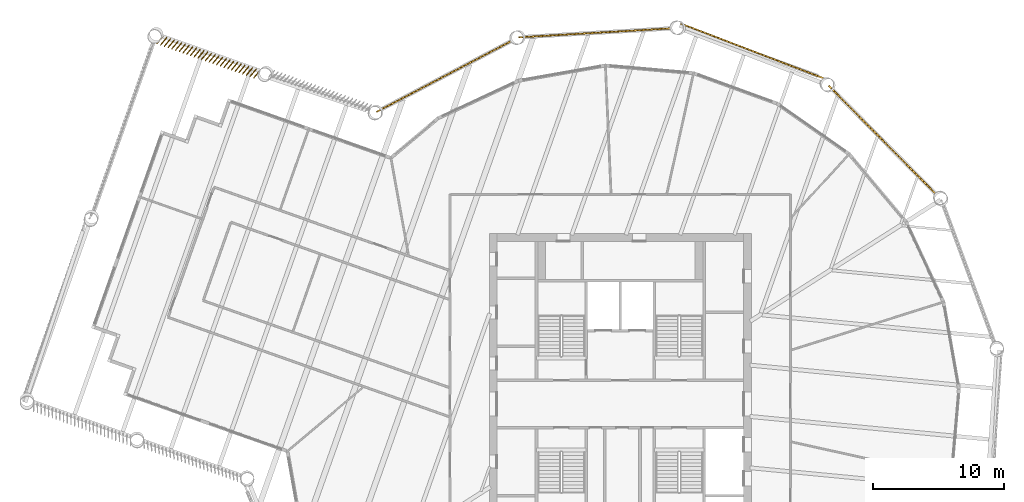
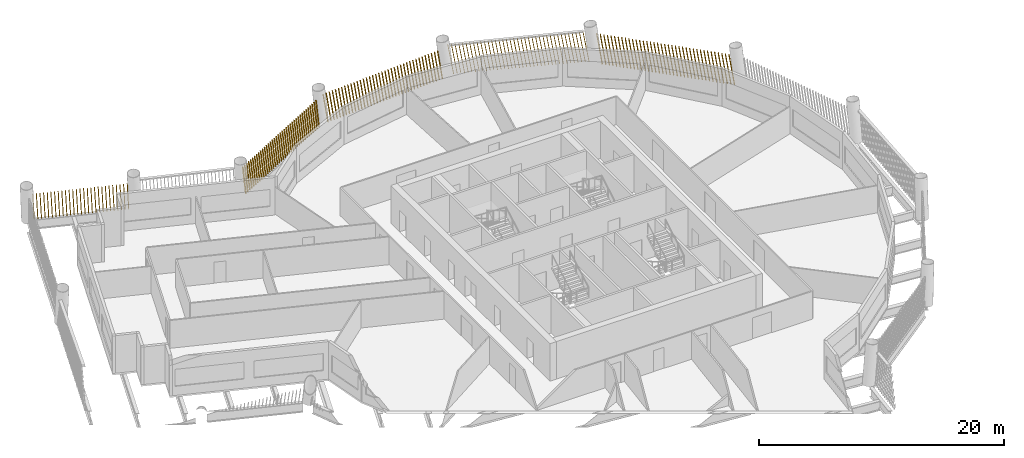
# One storey, part 14 of 15: 5 shading devices.
"""IFC4 building model written with IfcOpenShell, lengths in metres."""

from ifc_helpers import new_model, si_unit, direction, frame, frame_2d, origin, place, context, subcontext, project, spatial, rectangle, composite_profile, extrude, material, type_object, element, save


model = new_model("IFC4")

# Units and contexts
model_context = context("Model", 3, precision=1e-05, world=origin(), true_north=direction((0.0, 1.0)))
body_context = subcontext(model_context, "Body", "Model", "MODEL_VIEW")
ifc_project = project(units=[si_unit("LENGTHUNIT", "METRE"), si_unit("AREAUNIT", "SQUARE_METRE"), si_unit("VOLUMEUNIT", "CUBIC_METRE"), si_unit("PLANEANGLEUNIT", "RADIAN"), si_unit("MASSUNIT", "GRAM", prefix="KILO")], contexts=[model_context])

# Site, building, storey
site_placement = place(None, origin())
site = spatial("IfcSite", under=ifc_project, at=site_placement, CompositionType="ELEMENT")
building_placement = place(site_placement, origin())
building = spatial("IfcBuilding", under=site, at=building_placement, Name="Tarsis Ring Headquarters", CompositionType="ELEMENT")
storey_placement = place(building_placement, frame((0.0, 0.0, 204.300048828125)))
storey = spatial("IfcBuildingStorey", under=building, at=storey_placement, Name="L47", CompositionType="ELEMENT", Elevation=204.300048828125)

# Shading devices
ifc_material = material(Name="Terracotta baguette", Category="masonry")
shading_device_type = type_object("IfcShadingDeviceType", Name="Terracotta baguette screen", PredefinedType="USERDEFINED", material=ifc_material)
shading_device_1_placement = place(storey_placement, frame((24.14208984375, 15.9716796875, 0.0), z_axis=(0.0, 0.0, 1.0), x_axis=(-0.703272853546, 0.710912405591, 0.0)))
element("IfcShadingDevice", 1, at=shading_device_1_placement, inside=storey, type_object=shading_device_type, Name="Baguette screen L47-11", ObjectType="Terracotta baguette screen", PredefinedType="USERDEFINED", context=body_context, shape_type="SweptSolid", body=[
    extrude(composite_profile([rectangle(XDim=0.06005859375, YDim=0.1201171875, at=frame_2d((0.030029296875, 0.0))), rectangle(XDim=0.06005859375, YDim=0.1201171875, at=frame_2d((0.33251953125, 0.0))), rectangle(XDim=0.06005859375, YDim=0.1201171875, at=frame_2d((0.634765625, 0.0))), rectangle(XDim=0.06005859375, YDim=0.1201171875, at=frame_2d((0.937255859375, 0.0))), rectangle(XDim=0.06005859375, YDim=0.1201171875, at=frame_2d((1.239501953125, 0.0))), rectangle(XDim=0.06005859375, YDim=0.1201171875, at=frame_2d((1.5419921875, 0.0))), rectangle(XDim=0.06005859375, YDim=0.1201171875, at=frame_2d((1.844482421875, 0.0))), rectangle(XDim=0.06005859375, YDim=0.1201171875, at=frame_2d((2.146728515625, 0.0))), rectangle(XDim=0.06005859375, YDim=0.1201171875, at=frame_2d((2.44921875, 0.0))), rectangle(XDim=0.06005859375, YDim=0.1201171875, at=frame_2d((2.751708984375, 0.0))), rectangle(XDim=0.06005859375, YDim=0.1201171875, at=frame_2d((3.053955078125, 0.0))), rectangle(XDim=0.06005859375, YDim=0.1201171875, at=frame_2d((3.3564453125, 0.0))), rectangle(XDim=0.06005859375, YDim=0.1201171875, at=frame_2d((3.65869140625, 0.0))), rectangle(XDim=0.06005859375, YDim=0.1201171875, at=frame_2d((3.961181640625, 0.0))), rectangle(XDim=0.06005859375, YDim=0.1201171875, at=frame_2d((4.263671875, 0.0))), rectangle(XDim=0.06005859375, YDim=0.1201171875, at=frame_2d((4.56591796875, 0.0))), rectangle(XDim=0.06005859375, YDim=0.1201171875, at=frame_2d((4.868408203125, 0.0))), rectangle(XDim=0.06005859375, YDim=0.1201171875, at=frame_2d((5.1708984375, 0.0))), rectangle(XDim=0.06005859375, YDim=0.1201171875, at=frame_2d((5.47314453125, 0.0))), rectangle(XDim=0.06005859375, YDim=0.1201171875, at=frame_2d((5.775634765625, 0.0))), rectangle(XDim=0.06005859375, YDim=0.1201171875, at=frame_2d((6.077880859375, 0.0))), rectangle(XDim=0.06005859375, YDim=0.1201171875, at=frame_2d((6.38037109375, 0.0))), rectangle(XDim=0.06005859375, YDim=0.1201171875, at=frame_2d((6.682861328125, 0.0))), rectangle(XDim=0.06005859375, YDim=0.1201171875, at=frame_2d((6.985107421875, 0.0))), rectangle(XDim=0.06005859375, YDim=0.1201171875, at=frame_2d((7.28759765625, 0.0))), rectangle(XDim=0.06005859375, YDim=0.1201171875, at=frame_2d((7.590087890625, 0.0))), rectangle(XDim=0.06005859375, YDim=0.1201171875, at=frame_2d((7.892333984375, 0.0))), rectangle(XDim=0.06005859375, YDim=0.1201171875, at=frame_2d((8.19482421875, 0.0))), rectangle(XDim=0.06005859375, YDim=0.1201171875, at=frame_2d((8.4970703125, 0.0))), rectangle(XDim=0.06005859375, YDim=0.1201171875, at=frame_2d((8.799560546875, 0.0))), rectangle(XDim=0.06005859375, YDim=0.1201171875, at=frame_2d((9.10205078125, 0.0))), rectangle(XDim=0.06005859375, YDim=0.1201171875, at=frame_2d((9.404296875, 0.0))), rectangle(XDim=0.06005859375, YDim=0.1201171875, at=frame_2d((9.706787109375, 0.0))), rectangle(XDim=0.06005859375, YDim=0.1201171875, at=frame_2d((10.00927734375, 0.0))), rectangle(XDim=0.06005859375, YDim=0.1201171875, at=frame_2d((10.3115234375, 0.0))), rectangle(XDim=0.06005859375, YDim=0.1201171875, at=frame_2d((10.614013671875, 0.0))), rectangle(XDim=0.06005859375, YDim=0.1201171875, at=frame_2d((10.916259765625, 0.0))), rectangle(XDim=0.06005859375, YDim=0.1201171875, at=frame_2d((11.21875, 0.0)))]), origin(), (0.159215660782, 0.001335990908, 0.987242922735), 2.988037109375),
])
shading_device_2_placement = place(storey_placement, frame((15.546630859375, 24.853271484375, 0.0), z_axis=(0.0, 0.0, 1.0), x_axis=(-0.933803581118, 0.357807921867, 0.0)))
element("IfcShadingDevice", 2, at=shading_device_2_placement, inside=storey, type_object=shading_device_type, Name="Baguette screen L47-12", ObjectType="Terracotta baguette screen", PredefinedType="USERDEFINED", context=body_context, shape_type="SweptSolid", body=[
    extrude(composite_profile([rectangle(XDim=0.06005859375, YDim=0.1201171875, at=frame_2d((0.030029296875, 0.0))), rectangle(XDim=0.06005859375, YDim=0.1201171875, at=frame_2d((0.33251953125, 0.0))), rectangle(XDim=0.06005859375, YDim=0.1201171875, at=frame_2d((0.634765625, 0.0))), rectangle(XDim=0.06005859375, YDim=0.1201171875, at=frame_2d((0.937255859375, 0.0))), rectangle(XDim=0.06005859375, YDim=0.1201171875, at=frame_2d((1.239501953125, 0.0))), rectangle(XDim=0.06005859375, YDim=0.1201171875, at=frame_2d((1.5419921875, 0.0))), rectangle(XDim=0.06005859375, YDim=0.1201171875, at=frame_2d((1.844482421875, 0.0))), rectangle(XDim=0.06005859375, YDim=0.1201171875, at=frame_2d((2.146728515625, 0.0))), rectangle(XDim=0.06005859375, YDim=0.1201171875, at=frame_2d((2.44921875, 0.0))), rectangle(XDim=0.06005859375, YDim=0.1201171875, at=frame_2d((2.751708984375, 0.0))), rectangle(XDim=0.06005859375, YDim=0.1201171875, at=frame_2d((3.053955078125, 0.0))), rectangle(XDim=0.06005859375, YDim=0.1201171875, at=frame_2d((3.3564453125, 0.0))), rectangle(XDim=0.06005859375, YDim=0.1201171875, at=frame_2d((3.65869140625, 0.0))), rectangle(XDim=0.06005859375, YDim=0.1201171875, at=frame_2d((3.961181640625, 0.0))), rectangle(XDim=0.06005859375, YDim=0.1201171875, at=frame_2d((4.263671875, 0.0))), rectangle(XDim=0.06005859375, YDim=0.1201171875, at=frame_2d((4.56591796875, 0.0))), rectangle(XDim=0.06005859375, YDim=0.1201171875, at=frame_2d((4.868408203125, 0.0))), rectangle(XDim=0.06005859375, YDim=0.1201171875, at=frame_2d((5.1708984375, 0.0))), rectangle(XDim=0.06005859375, YDim=0.1201171875, at=frame_2d((5.47314453125, 0.0))), rectangle(XDim=0.06005859375, YDim=0.1201171875, at=frame_2d((5.775634765625, 0.0))), rectangle(XDim=0.06005859375, YDim=0.1201171875, at=frame_2d((6.077880859375, 0.0))), rectangle(XDim=0.06005859375, YDim=0.1201171875, at=frame_2d((6.38037109375, 0.0))), rectangle(XDim=0.06005859375, YDim=0.1201171875, at=frame_2d((6.682861328125, 0.0))), rectangle(XDim=0.06005859375, YDim=0.1201171875, at=frame_2d((6.985107421875, 0.0))), rectangle(XDim=0.06005859375, YDim=0.1201171875, at=frame_2d((7.28759765625, 0.0))), rectangle(XDim=0.06005859375, YDim=0.1201171875, at=frame_2d((7.590087890625, 0.0))), rectangle(XDim=0.06005859375, YDim=0.1201171875, at=frame_2d((7.892333984375, 0.0))), rectangle(XDim=0.06005859375, YDim=0.1201171875, at=frame_2d((8.19482421875, 0.0))), rectangle(XDim=0.06005859375, YDim=0.1201171875, at=frame_2d((8.4970703125, 0.0))), rectangle(XDim=0.06005859375, YDim=0.1201171875, at=frame_2d((8.799560546875, 0.0))), rectangle(XDim=0.06005859375, YDim=0.1201171875, at=frame_2d((9.10205078125, 0.0))), rectangle(XDim=0.06005859375, YDim=0.1201171875, at=frame_2d((9.404296875, 0.0))), rectangle(XDim=0.06005859375, YDim=0.1201171875, at=frame_2d((9.706787109375, 0.0))), rectangle(XDim=0.06005859375, YDim=0.1201171875, at=frame_2d((10.00927734375, 0.0))), rectangle(XDim=0.06005859375, YDim=0.1201171875, at=frame_2d((10.3115234375, 0.0))), rectangle(XDim=0.06005859375, YDim=0.1201171875, at=frame_2d((10.614013671875, 0.0))), rectangle(XDim=0.06005859375, YDim=0.1201171875, at=frame_2d((10.916259765625, 0.0))), rectangle(XDim=0.06005859375, YDim=0.1201171875, at=frame_2d((11.21875, 0.0)))]), origin(), (0.161265968869, 0.001348827373, 0.98691006072), 2.989013671875),
])
shading_device_3_placement = place(storey_placement, frame((3.9423828125, 28.677490234375, 0.0), z_axis=(0.0, 0.0, 1.0), x_axis=(-0.998263700488, -0.058882257189, 0.0)))
element("IfcShadingDevice", 3, at=shading_device_3_placement, inside=storey, type_object=shading_device_type, Name="Baguette screen L47-13", ObjectType="Terracotta baguette screen", PredefinedType="USERDEFINED", context=body_context, shape_type="SweptSolid", body=[
    extrude(composite_profile([rectangle(XDim=0.06005859375, YDim=0.1201171875, at=frame_2d((0.030029296875, 0.0))), rectangle(XDim=0.06005859375, YDim=0.1201171875, at=frame_2d((0.33251953125, 0.0))), rectangle(XDim=0.06005859375, YDim=0.1201171875, at=frame_2d((0.634765625, 0.0))), rectangle(XDim=0.06005859375, YDim=0.1201171875, at=frame_2d((0.937255859375, 0.0))), rectangle(XDim=0.06005859375, YDim=0.1201171875, at=frame_2d((1.239501953125, 0.0))), rectangle(XDim=0.06005859375, YDim=0.1201171875, at=frame_2d((1.5419921875, 0.0))), rectangle(XDim=0.06005859375, YDim=0.1201171875, at=frame_2d((1.844482421875, 0.0))), rectangle(XDim=0.06005859375, YDim=0.1201171875, at=frame_2d((2.146728515625, 0.0))), rectangle(XDim=0.06005859375, YDim=0.1201171875, at=frame_2d((2.44921875, 0.0))), rectangle(XDim=0.06005859375, YDim=0.1201171875, at=frame_2d((2.751708984375, 0.0))), rectangle(XDim=0.06005859375, YDim=0.1201171875, at=frame_2d((3.053955078125, 0.0))), rectangle(XDim=0.06005859375, YDim=0.1201171875, at=frame_2d((3.3564453125, 0.0))), rectangle(XDim=0.06005859375, YDim=0.1201171875, at=frame_2d((3.65869140625, 0.0))), rectangle(XDim=0.06005859375, YDim=0.1201171875, at=frame_2d((3.961181640625, 0.0))), rectangle(XDim=0.06005859375, YDim=0.1201171875, at=frame_2d((4.263671875, 0.0))), rectangle(XDim=0.06005859375, YDim=0.1201171875, at=frame_2d((4.56591796875, 0.0))), rectangle(XDim=0.06005859375, YDim=0.1201171875, at=frame_2d((4.868408203125, 0.0))), rectangle(XDim=0.06005859375, YDim=0.1201171875, at=frame_2d((5.1708984375, 0.0))), rectangle(XDim=0.06005859375, YDim=0.1201171875, at=frame_2d((5.47314453125, 0.0))), rectangle(XDim=0.06005859375, YDim=0.1201171875, at=frame_2d((5.775634765625, 0.0))), rectangle(XDim=0.06005859375, YDim=0.1201171875, at=frame_2d((6.077880859375, 0.0))), rectangle(XDim=0.06005859375, YDim=0.1201171875, at=frame_2d((6.38037109375, 0.0))), rectangle(XDim=0.06005859375, YDim=0.1201171875, at=frame_2d((6.682861328125, 0.0))), rectangle(XDim=0.06005859375, YDim=0.1201171875, at=frame_2d((6.985107421875, 0.0))), rectangle(XDim=0.06005859375, YDim=0.1201171875, at=frame_2d((7.28759765625, 0.0))), rectangle(XDim=0.06005859375, YDim=0.1201171875, at=frame_2d((7.590087890625, 0.0))), rectangle(XDim=0.06005859375, YDim=0.1201171875, at=frame_2d((7.892333984375, 0.0))), rectangle(XDim=0.06005859375, YDim=0.1201171875, at=frame_2d((8.19482421875, 0.0))), rectangle(XDim=0.06005859375, YDim=0.1201171875, at=frame_2d((8.4970703125, 0.0))), rectangle(XDim=0.06005859375, YDim=0.1201171875, at=frame_2d((8.799560546875, 0.0))), rectangle(XDim=0.06005859375, YDim=0.1201171875, at=frame_2d((9.10205078125, 0.0))), rectangle(XDim=0.06005859375, YDim=0.1201171875, at=frame_2d((9.404296875, 0.0))), rectangle(XDim=0.06005859375, YDim=0.1201171875, at=frame_2d((9.706787109375, 0.0))), rectangle(XDim=0.06005859375, YDim=0.1201171875, at=frame_2d((10.00927734375, 0.0))), rectangle(XDim=0.06005859375, YDim=0.1201171875, at=frame_2d((10.3115234375, 0.0))), rectangle(XDim=0.06005859375, YDim=0.1201171875, at=frame_2d((10.614013671875, 0.0))), rectangle(XDim=0.06005859375, YDim=0.1201171875, at=frame_2d((10.916259765625, 0.0))), rectangle(XDim=0.06005859375, YDim=0.1201171875, at=frame_2d((11.21875, 0.0)))]), origin(), (0.159216078273, 0.001335538754, 0.987242856016), 2.988037109375),
])
shading_device_4_placement = place(storey_placement, frame((-8.228759765625, 27.7529296875, 0.0), z_axis=(0.0, 0.0, 1.0), x_axis=(-0.885230602279, -0.465132935431, 0.0)))
element("IfcShadingDevice", 4, at=shading_device_4_placement, inside=storey, type_object=shading_device_type, Name="Baguette screen L47-14", ObjectType="Terracotta baguette screen", PredefinedType="USERDEFINED", context=body_context, shape_type="SweptSolid", body=[
    extrude(composite_profile([rectangle(XDim=0.06005859375, YDim=0.1201171875, at=frame_2d((0.030029296875, 0.0))), rectangle(XDim=0.06005859375, YDim=0.1201171875, at=frame_2d((0.33251953125, 0.0))), rectangle(XDim=0.06005859375, YDim=0.1201171875, at=frame_2d((0.634765625, 0.0))), rectangle(XDim=0.06005859375, YDim=0.1201171875, at=frame_2d((0.937255859375, 0.0))), rectangle(XDim=0.06005859375, YDim=0.1201171875, at=frame_2d((1.239501953125, 0.0))), rectangle(XDim=0.06005859375, YDim=0.1201171875, at=frame_2d((1.5419921875, 0.0))), rectangle(XDim=0.06005859375, YDim=0.1201171875, at=frame_2d((1.844482421875, 0.0))), rectangle(XDim=0.06005859375, YDim=0.1201171875, at=frame_2d((2.146728515625, 0.0))), rectangle(XDim=0.06005859375, YDim=0.1201171875, at=frame_2d((2.44921875, 0.0))), rectangle(XDim=0.06005859375, YDim=0.1201171875, at=frame_2d((2.751708984375, 0.0))), rectangle(XDim=0.06005859375, YDim=0.1201171875, at=frame_2d((3.053955078125, 0.0))), rectangle(XDim=0.06005859375, YDim=0.1201171875, at=frame_2d((3.3564453125, 0.0))), rectangle(XDim=0.06005859375, YDim=0.1201171875, at=frame_2d((3.65869140625, 0.0))), rectangle(XDim=0.06005859375, YDim=0.1201171875, at=frame_2d((3.961181640625, 0.0))), rectangle(XDim=0.06005859375, YDim=0.1201171875, at=frame_2d((4.263671875, 0.0))), rectangle(XDim=0.06005859375, YDim=0.1201171875, at=frame_2d((4.56591796875, 0.0))), rectangle(XDim=0.06005859375, YDim=0.1201171875, at=frame_2d((4.868408203125, 0.0))), rectangle(XDim=0.06005859375, YDim=0.1201171875, at=frame_2d((5.1708984375, 0.0))), rectangle(XDim=0.06005859375, YDim=0.1201171875, at=frame_2d((5.47314453125, 0.0))), rectangle(XDim=0.06005859375, YDim=0.1201171875, at=frame_2d((5.775634765625, 0.0))), rectangle(XDim=0.06005859375, YDim=0.1201171875, at=frame_2d((6.077880859375, 0.0))), rectangle(XDim=0.06005859375, YDim=0.1201171875, at=frame_2d((6.38037109375, 0.0))), rectangle(XDim=0.06005859375, YDim=0.1201171875, at=frame_2d((6.682861328125, 0.0))), rectangle(XDim=0.06005859375, YDim=0.1201171875, at=frame_2d((6.985107421875, 0.0))), rectangle(XDim=0.06005859375, YDim=0.1201171875, at=frame_2d((7.28759765625, 0.0))), rectangle(XDim=0.06005859375, YDim=0.1201171875, at=frame_2d((7.590087890625, 0.0))), rectangle(XDim=0.06005859375, YDim=0.1201171875, at=frame_2d((7.892333984375, 0.0))), rectangle(XDim=0.06005859375, YDim=0.1201171875, at=frame_2d((8.19482421875, 0.0))), rectangle(XDim=0.06005859375, YDim=0.1201171875, at=frame_2d((8.4970703125, 0.0))), rectangle(XDim=0.06005859375, YDim=0.1201171875, at=frame_2d((8.799560546875, 0.0))), rectangle(XDim=0.06005859375, YDim=0.1201171875, at=frame_2d((9.10205078125, 0.0))), rectangle(XDim=0.06005859375, YDim=0.1201171875, at=frame_2d((9.404296875, 0.0))), rectangle(XDim=0.06005859375, YDim=0.1201171875, at=frame_2d((9.706787109375, 0.0))), rectangle(XDim=0.06005859375, YDim=0.1201171875, at=frame_2d((10.00927734375, 0.0))), rectangle(XDim=0.06005859375, YDim=0.1201171875, at=frame_2d((10.3115234375, 0.0))), rectangle(XDim=0.06005859375, YDim=0.1201171875, at=frame_2d((10.614013671875, 0.0))), rectangle(XDim=0.06005859375, YDim=0.1201171875, at=frame_2d((10.916259765625, 0.0))), rectangle(XDim=0.06005859375, YDim=0.1201171875, at=frame_2d((11.21875, 0.0)))]), origin(), (0.159215013578, 0.00133263041, 0.987243031653), 2.988037109375),
])
shading_device_5_placement = place(storey_placement, frame((-27.493408203125, 25.423828125, 0.0), z_axis=(0.0, 0.0, 1.0), x_axis=(-0.942750332128, 0.333456915995, 0.0)))
element("IfcShadingDevice", 5, at=shading_device_5_placement, inside=storey, type_object=shading_device_type, Name="Baguette screen L47-16", ObjectType="Terracotta baguette screen", PredefinedType="USERDEFINED", context=body_context, shape_type="SweptSolid", body=[
    extrude(composite_profile([rectangle(XDim=0.06005859375, YDim=0.1201171875, at=frame_2d((0.030029296875, 0.0))), rectangle(XDim=0.06005859375, YDim=0.1201171875, at=frame_2d((0.33154296875, 0.0))), rectangle(XDim=0.06005859375, YDim=0.1201171875, at=frame_2d((0.63330078125, 0.0))), rectangle(XDim=0.06005859375, YDim=0.1201171875, at=frame_2d((0.934814453125, 0.0))), rectangle(XDim=0.06005859375, YDim=0.1201171875, at=frame_2d((1.236572265625, 0.0))), rectangle(XDim=0.06005859375, YDim=0.1201171875, at=frame_2d((1.5380859375, 0.0))), rectangle(XDim=0.06005859375, YDim=0.1201171875, at=frame_2d((1.83984375, 0.0))), rectangle(XDim=0.06005859375, YDim=0.1201171875, at=frame_2d((2.141357421875, 0.0))), rectangle(XDim=0.06005859375, YDim=0.1201171875, at=frame_2d((2.443115234375, 0.0))), rectangle(XDim=0.06005859375, YDim=0.1201171875, at=frame_2d((2.74462890625, 0.0))), rectangle(XDim=0.06005859375, YDim=0.1201171875, at=frame_2d((3.04638671875, 0.0))), rectangle(XDim=0.06005859375, YDim=0.1201171875, at=frame_2d((3.347900390625, 0.0))), rectangle(XDim=0.06005859375, YDim=0.1201171875, at=frame_2d((3.649658203125, 0.0))), rectangle(XDim=0.06005859375, YDim=0.1201171875, at=frame_2d((3.951171875, 0.0))), rectangle(XDim=0.06005859375, YDim=0.1201171875, at=frame_2d((4.252685546875, 0.0))), rectangle(XDim=0.06005859375, YDim=0.1201171875, at=frame_2d((4.554443359375, 0.0))), rectangle(XDim=0.06005859375, YDim=0.1201171875, at=frame_2d((4.85595703125, 0.0))), rectangle(XDim=0.06005859375, YDim=0.1201171875, at=frame_2d((5.15771484375, 0.0))), rectangle(XDim=0.06005859375, YDim=0.1201171875, at=frame_2d((5.459228515625, 0.0))), rectangle(XDim=0.06005859375, YDim=0.1201171875, at=frame_2d((5.760986328125, 0.0))), rectangle(XDim=0.06005859375, YDim=0.1201171875, at=frame_2d((6.0625, 0.0))), rectangle(XDim=0.06005859375, YDim=0.1201171875, at=frame_2d((6.3642578125, 0.0))), rectangle(XDim=0.06005859375, YDim=0.1201171875, at=frame_2d((6.665771484375, 0.0))), rectangle(XDim=0.06005859375, YDim=0.1201171875, at=frame_2d((6.967529296875, 0.0))), rectangle(XDim=0.06005859375, YDim=0.1201171875, at=frame_2d((7.26904296875, 0.0))), rectangle(XDim=0.06005859375, YDim=0.1201171875, at=frame_2d((7.57080078125, 0.0))), rectangle(XDim=0.06005859375, YDim=0.1201171875, at=frame_2d((7.872314453125, 0.0)))]), origin(), (0.080081802102, 0.212781965756, 0.973812476826), 3.029296875),
])

save(model, "model.ifc")
